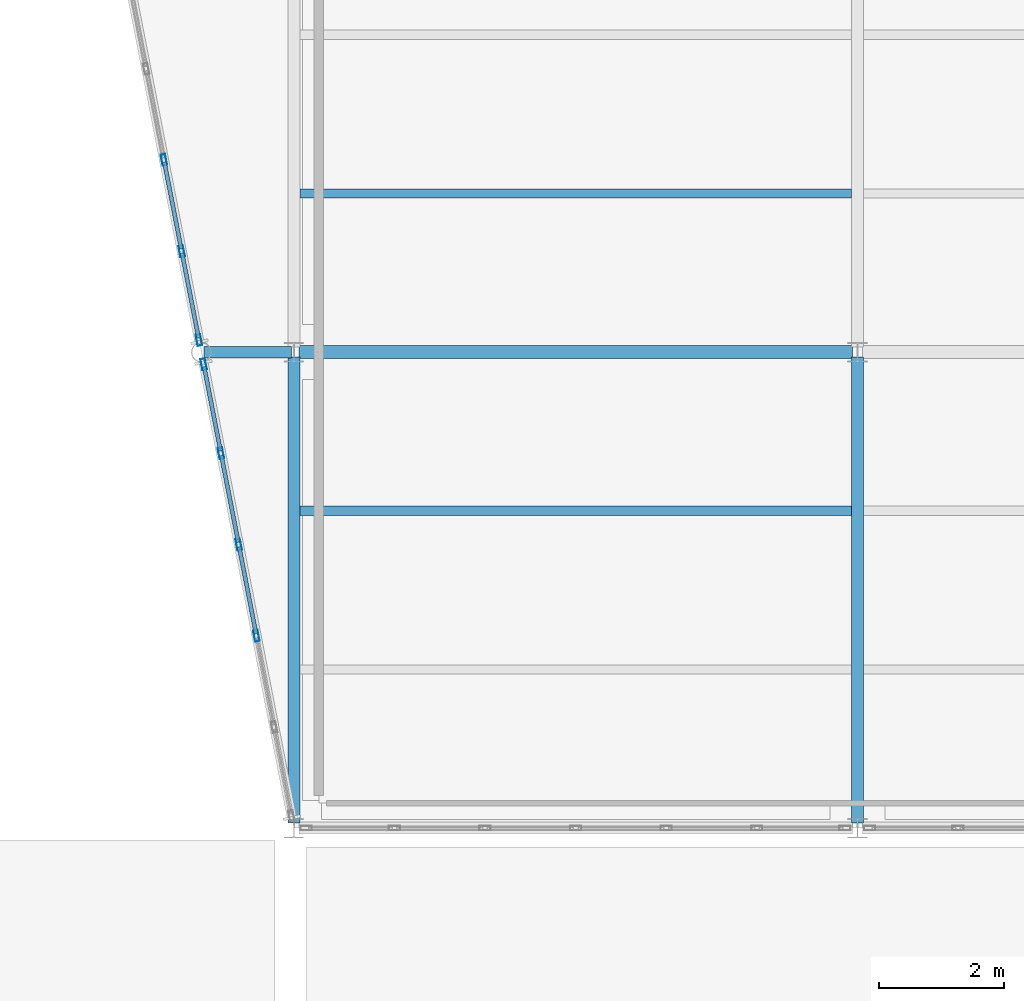
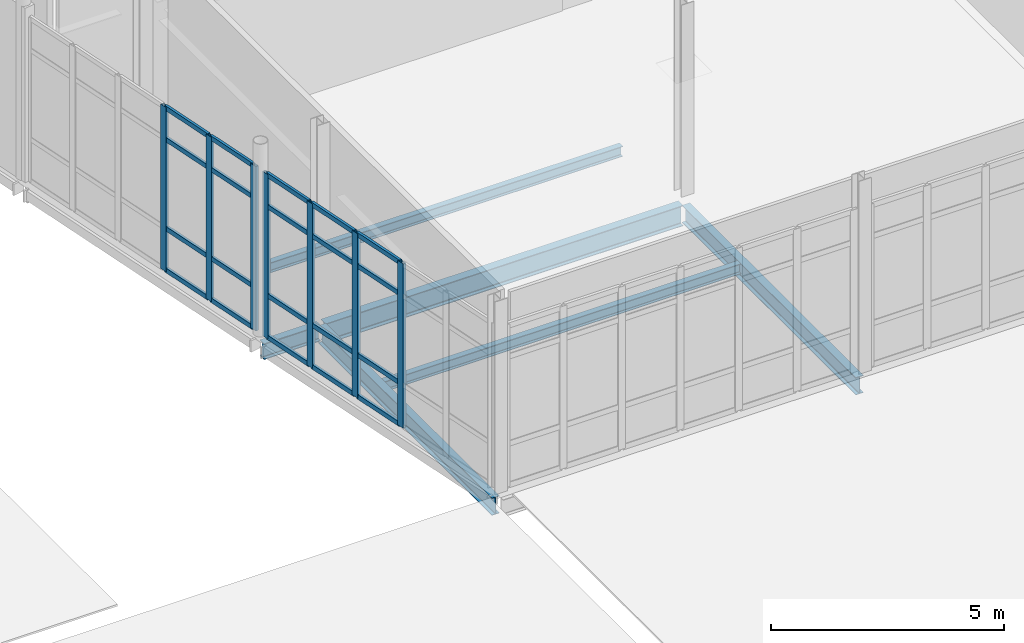
# One storey, part 83 of 161: 27 members, 6 beams, 2 elements without a shape of their own.
"""IFC4 building model written with IfcOpenShell, lengths in metres."""

from ifc_helpers import new_model, si_unit, direction, frame, origin, origin_2d, place, context, subcontext, project, spatial, hollow_rectangle, i_section, extrude, material, material_profile, profile_set, type_object, element, aggregate, save


model = new_model("IFC4")

# Units and contexts
model_context = context("Model", 3, precision=1e-05, world=origin(), true_north=direction((0.0, 1.0)))
body_context = subcontext(model_context, "Body", "Model", "MODEL_VIEW")
ifc_project = project(units=[si_unit("LENGTHUNIT", "METRE"), si_unit("AREAUNIT", "SQUARE_METRE"), si_unit("VOLUMEUNIT", "CUBIC_METRE"), si_unit("PLANEANGLEUNIT", "RADIAN"), si_unit("MASSUNIT", "GRAM", prefix="KILO")], contexts=[model_context])

# Site, building, storey
site_placement = place(None, origin())
site = spatial("IfcSite", under=ifc_project, at=site_placement, CompositionType="ELEMENT")
building_placement = place(site_placement, origin())
building = spatial("IfcBuilding", under=site, at=building_placement, Name="Caisbarro Railhouse Central Library", CompositionType="ELEMENT")
storey_placement = place(building_placement, origin())
storey = spatial("IfcBuildingStorey", under=building, at=storey_placement, Name="L00", CompositionType="ELEMENT", Elevation=0.0)

# Beams
ifc_material_1 = material(Name="Steel ASTM A572 Grade 50", Category="steel")
ifc_material_profile_1 = material_profile(ifc_material_1, i_section(OverallWidth=0.208984375, OverallDepth=0.532958984375, WebThickness=0.01025390625, FlangeThickness=0.015625, FilletRadius=0.02001953125, at=origin_2d()), Name="W530X92.0")
ifc_profile_set_1 = profile_set([ifc_material_profile_1], Name="Steel ASTM A572 Grade 50")
beam_type_1 = type_object("IfcBeamType", Name="BM-G06", PredefinedType="BEAM", material=ifc_profile_set_1)
beam_1_placement = place(storey_placement, frame((117.080078125, 68.39990234375, -0.5166015625), z_axis=(1.0, 0.0, 0.0), x_axis=(0.0, 1.0, 0.0)))
element("IfcBeam", 1, at=beam_1_placement, inside=storey, type_object=beam_type_1, Name="G06 beam L00 #494", PredefinedType="BEAM", context=body_context, shape_type="SweptSolid", body=[
    extrude(i_section(OverallWidth=0.208984375, OverallDepth=0.532958984375, WebThickness=0.01025390625, FlangeThickness=0.015625, FilletRadius=0.02001953125, at=origin_2d()), origin(), (0.0, 0.0, 1.0), 8.83984375),
])
ifc_material_profile_2 = material_profile(ifc_material_1, i_section(OverallWidth=0.18994140625, OverallDepth=0.45703125, WebThickness=0.009033203125, FlangeThickness=0.014404296875, FilletRadius=0.01806640625, at=origin_2d()), Name="W460X74.0")
ifc_profile_set_2 = profile_set([ifc_material_profile_2], Name="Steel ASTM A572 Grade 50")
beam_type_2 = type_object("IfcBeamType", Name="BM-G08", PredefinedType="BEAM", material=ifc_profile_set_2)
for number, where, z_axis, x_axis, name in (
    (2, (117.0, 60.8798828125, -0.478515625), (0.0, 1.0, 0.0), (-1.0, 0.0, 0.0), "G08 beam L00 #522"),
    (3, (126.0, 60.8798828125, -0.478515625), (0.0, 1.0, 0.0), (-1.0, 0.0, 0.0), "G08 beam L00 #529"),
):
    element("IfcBeam", number, at=place(storey_placement, frame(where, z_axis=z_axis, x_axis=x_axis)), inside=storey, type_object=beam_type_2, Name=name, PredefinedType="BEAM", context=body_context, shape_type="SweptSolid", body=[
        extrude(i_section(OverallWidth=0.18994140625, OverallDepth=0.45703125, WebThickness=0.009033203125, FlangeThickness=0.014404296875, FilletRadius=0.01806640625, at=origin_2d()), origin(), (0.0, 0.0, 1.0), 7.440185546875),
    ])
ifc_material_profile_3 = material_profile(ifc_material_1, i_section(OverallWidth=0.180908203125, OverallDepth=0.4169921875, WebThickness=0.010986328125, FlangeThickness=0.018310546875, FilletRadius=0.01611328125, at=origin_2d()), Name="W410X85.0")
ifc_profile_set_3 = profile_set([ifc_material_profile_3], Name="Steel ASTM A572 Grade 50")
beam_type_3 = type_object("IfcBeamType", Name="BM-G09", PredefinedType="BEAM", material=ifc_profile_set_3)
beam_2_placement = place(storey_placement, frame((115.56298828125, 68.39990234375, -0.45849609375), z_axis=(1.0, 0.0, 0.0), x_axis=(0.0, 1.0, 0.0)))
element("IfcBeam", 4, at=beam_2_placement, inside=storey, type_object=beam_type_3, Name="G09 beam L00 #687", PredefinedType="BEAM", context=body_context, shape_type="SweptSolid", body=[
    extrude(i_section(OverallWidth=0.180908203125, OverallDepth=0.4169921875, WebThickness=0.010986328125, FlangeThickness=0.018310546875, FilletRadius=0.01611328125, at=origin_2d()), origin(), (0.0, 0.0, 1.0), 1.39697265625),
])
ifc_material_profile_4 = material_profile(ifc_material_1, i_section(OverallWidth=0.14794921875, OverallDepth=0.26611328125, WebThickness=0.007568359375, FlangeThickness=0.012939453125, FilletRadius=0.010009765625, at=origin_2d()), Name="W250X44.8")
ifc_profile_set_4 = profile_set([ifc_material_profile_4], Name="Steel ASTM A572 Grade 50")
beam_type_4 = type_object("IfcBeamType", Name="BM-J04", PredefinedType="JOIST", material=ifc_profile_set_4)
for number, where, z_axis, x_axis, name in (
    (5, (117.094970703125, 65.86669921875, -0.383056640625), (1.0, 0.0, 0.0), (0.0, 1.0, 0.0), "J04 beam L00 #558"),
    (6, (117.094970703125, 70.933349609375, -0.383056640625), (1.0, 0.0, 0.0), (0.0, 1.0, 0.0), "J04 beam L00 #559"),
):
    element("IfcBeam", number, at=place(storey_placement, frame(where, z_axis=z_axis, x_axis=x_axis)), inside=storey, type_object=beam_type_4, Name=name, PredefinedType="JOIST", context=body_context, shape_type="SweptSolid", body=[
        extrude(i_section(OverallWidth=0.14794921875, OverallDepth=0.26611328125, WebThickness=0.007568359375, FlangeThickness=0.012939453125, FilletRadius=0.010009765625, at=origin_2d()), origin(), (0.0, 0.0, 1.0), 8.81005859375),
    ])

# Curtain wall, members
ifc_material_2 = material(Name="Anodised architectural aluminium", Category="aluminium")
curtain_wall_type = type_object("IfcCurtainWallType", Name="CW-CW01", PredefinedType="NOTDEFINED", material=ifc_material_2)
curtain_wall_1_placement = place(storey_placement, origin())
curtain_wall_1 = element("IfcCurtainWall", 7, at=curtain_wall_1_placement, inside=storey, type_object=curtain_wall_type, Name="CW01 curtain wall L00 #96", PredefinedType="NOTDEFINED")
ifc_material_profile_5 = material_profile(ifc_material_2, hollow_rectangle(XDim=0.074951171875, YDim=0.179931640625, WallThickness=0.00439453125, at=origin_2d()), Name="ALU-MUL-75X180")
ifc_profile_set_5 = profile_set([ifc_material_profile_5], Name="Anodised architectural aluminium")
member_type_1 = type_object("IfcMemberType", Name="CWM-M01", PredefinedType="MULLION", material=ifc_profile_set_5)
member_1_placement = place(storey_placement, frame((116.403076171875, 63.871337890625, 0.0), z_axis=(0.0, 0.0, 1.0), x_axis=(-0.981632635401, -0.190780945369, 0.0)))
member_1 = element("IfcMember", 8, at=member_1_placement, type_object=member_type_1, Name="CW01 mullion 3", PredefinedType="MULLION", context=body_context, shape_type="SweptSolid", body=[
    extrude(hollow_rectangle(XDim=0.074951171875, YDim=0.179931640625, WallThickness=0.00439453125, at=origin_2d()), origin(), (0.0, 0.0, 1.0), 4.300048828125),
])
member_2_placement = place(storey_placement, frame((116.119873046875, 65.32861328125, 0.0), z_axis=(0.0, 0.0, 1.0), x_axis=(-0.981632635401, -0.190780945369, 0.0)))
member_2 = element("IfcMember", 9, at=member_2_placement, type_object=member_type_1, Name="CW01 mullion 4", PredefinedType="MULLION", context=body_context, shape_type="SweptSolid", body=[
    extrude(hollow_rectangle(XDim=0.074951171875, YDim=0.179931640625, WallThickness=0.00439453125, at=origin_2d()), origin(), (0.0, 0.0, 1.0), 4.300048828125),
])
member_3_placement = place(storey_placement, frame((115.836669921875, 66.78564453125, 0.0), z_axis=(0.0, 0.0, 1.0), x_axis=(-0.981632635401, -0.190780945369, 0.0)))
member_3 = element("IfcMember", 10, at=member_3_placement, type_object=member_type_1, Name="CW01 mullion 5", PredefinedType="MULLION", context=body_context, shape_type="SweptSolid", body=[
    extrude(hollow_rectangle(XDim=0.074951171875, YDim=0.179931640625, WallThickness=0.00439453125, at=origin_2d()), origin(), (0.0, 0.0, 1.0), 4.300048828125),
])
member_4_placement = place(storey_placement, frame((115.560546875, 68.2060546875, 0.0), z_axis=(0.0, 0.0, 1.0), x_axis=(-0.981632635401, -0.190780945369, 0.0)))
member_4 = element("IfcMember", 11, at=member_4_placement, type_object=member_type_1, Name="CW01 mullion 6", PredefinedType="MULLION", context=body_context, shape_type="SweptSolid", body=[
    extrude(hollow_rectangle(XDim=0.074951171875, YDim=0.179931640625, WallThickness=0.00439453125, at=origin_2d()), origin(), (0.0, 0.0, 1.0), 4.300048828125),
])

curtain_wall_2_placement = place(storey_placement, origin())
curtain_wall_2 = element("IfcCurtainWall", 12, at=curtain_wall_2_placement, inside=storey, type_object=curtain_wall_type, Name="CW01 curtain wall L00 #97", PredefinedType="NOTDEFINED")
member_5_placement = place(storey_placement, frame((115.4853515625, 68.593994140625, 0.0), z_axis=(0.0, 0.0, 1.0), x_axis=(-0.98160739523, -0.190910768765, 0.0)))
member_5 = element("IfcMember", 13, at=member_5_placement, type_object=member_type_1, Name="CW01 mullion 1", PredefinedType="MULLION", context=body_context, shape_type="SweptSolid", body=[
    extrude(hollow_rectangle(XDim=0.074951171875, YDim=0.179931640625, WallThickness=0.00439453125, at=origin_2d()), origin(), (0.0, 0.0, 1.0), 4.300048828125),
])
member_6_placement = place(storey_placement, frame((115.208984375, 70.01416015625, 0.0), z_axis=(0.0, 0.0, 1.0), x_axis=(-0.98160739523, -0.190910768765, 0.0)))
member_6 = element("IfcMember", 14, at=member_6_placement, type_object=member_type_1, Name="CW01 mullion 2", PredefinedType="MULLION", context=body_context, shape_type="SweptSolid", body=[
    extrude(hollow_rectangle(XDim=0.074951171875, YDim=0.179931640625, WallThickness=0.00439453125, at=origin_2d()), origin(), (0.0, 0.0, 1.0), 4.300048828125),
])
member_7_placement = place(storey_placement, frame((114.92578125, 71.471435546875, 0.0), z_axis=(0.0, 0.0, 1.0), x_axis=(-0.98160739523, -0.190910768765, 0.0)))
member_7 = element("IfcMember", 15, at=member_7_placement, type_object=member_type_1, Name="CW01 mullion 3", PredefinedType="MULLION", context=body_context, shape_type="SweptSolid", body=[
    extrude(hollow_rectangle(XDim=0.074951171875, YDim=0.179931640625, WallThickness=0.00439453125, at=origin_2d()), origin(), (0.0, 0.0, 1.0), 4.300048828125),
])

# Member
ifc_material_profile_6 = material_profile(ifc_material_2, hollow_rectangle(XDim=0.06494140625, YDim=0.1201171875, WallThickness=0.00341796875, at=origin_2d()), Name="ALU-TRN-65X120")
ifc_profile_set_6 = profile_set([ifc_material_profile_6], Name="Anodised architectural aluminium")
member_type_2 = type_object("IfcMemberType", Name="CWT-T02", PredefinedType="USERDEFINED", material=ifc_profile_set_6)
member_8_placement = place(storey_placement, frame((116.39599609375, 63.908203125, 0.032470703125), z_axis=(-0.190883567843, 0.981612685089, 0.0), x_axis=(-0.981612685089, -0.190883567843, 0.0)))
member_8 = element("IfcMember", 16, at=member_8_placement, type_object=member_type_2, Name="CW01 transom 3.1", ObjectType="TRANSOM", PredefinedType="USERDEFINED", context=body_context, shape_type="SweptSolid", body=[
    extrude(hollow_rectangle(XDim=0.06494140625, YDim=0.1201171875, WallThickness=0.00341796875, at=origin_2d()), origin(), (0.0, 0.0, 1.0), 1.409423828125),
])

member_9_placement = place(storey_placement, frame((116.39599609375, 63.908203125, 1.1201171875), z_axis=(-0.190883567843, 0.981612685089, 0.0), x_axis=(-0.981612685089, -0.190883567843, 0.0)))
member_9 = element("IfcMember", 17, at=member_9_placement, type_object=member_type_2, Name="CW01 transom 3.2", ObjectType="TRANSOM", PredefinedType="USERDEFINED", context=body_context, shape_type="SweptSolid", body=[
    extrude(hollow_rectangle(XDim=0.06494140625, YDim=0.1201171875, WallThickness=0.00341796875, at=origin_2d()), origin(), (0.0, 0.0, 1.0), 1.409423828125),
])

member_10_placement = place(storey_placement, frame((116.39599609375, 63.908203125, 3.449951171875), z_axis=(-0.190883567843, 0.981612685089, 0.0), x_axis=(-0.981612685089, -0.190883567843, 0.0)))
member_10 = element("IfcMember", 18, at=member_10_placement, type_object=member_type_2, Name="CW01 transom 3.3", ObjectType="TRANSOM", PredefinedType="USERDEFINED", context=body_context, shape_type="SweptSolid", body=[
    extrude(hollow_rectangle(XDim=0.06494140625, YDim=0.1201171875, WallThickness=0.00341796875, at=origin_2d()), origin(), (0.0, 0.0, 1.0), 1.409423828125),
])

member_11_placement = place(storey_placement, frame((116.39599609375, 63.908203125, 4.267578125), z_axis=(-0.190883567843, 0.981612685089, 0.0), x_axis=(-0.981612685089, -0.190883567843, 0.0)))
member_11 = element("IfcMember", 19, at=member_11_placement, type_object=member_type_2, Name="CW01 transom 3.4", ObjectType="TRANSOM", PredefinedType="USERDEFINED", context=body_context, shape_type="SweptSolid", body=[
    extrude(hollow_rectangle(XDim=0.06494140625, YDim=0.1201171875, WallThickness=0.00341796875, at=origin_2d()), origin(), (0.0, 0.0, 1.0), 1.409423828125),
])

member_12_placement = place(storey_placement, frame((116.11279296875, 65.365478515625, 0.032470703125), z_axis=(-0.190883567843, 0.981612685089, 0.0), x_axis=(-0.981612685089, -0.190883567843, 0.0)))
member_12 = element("IfcMember", 20, at=member_12_placement, type_object=member_type_2, Name="CW01 transom 4.1", ObjectType="TRANSOM", PredefinedType="USERDEFINED", context=body_context, shape_type="SweptSolid", body=[
    extrude(hollow_rectangle(XDim=0.06494140625, YDim=0.1201171875, WallThickness=0.00341796875, at=origin_2d()), origin(), (0.0, 0.0, 1.0), 1.409423828125),
])

member_13_placement = place(storey_placement, frame((116.11279296875, 65.365478515625, 1.1201171875), z_axis=(-0.190883567843, 0.981612685089, 0.0), x_axis=(-0.981612685089, -0.190883567843, 0.0)))
member_13 = element("IfcMember", 21, at=member_13_placement, type_object=member_type_2, Name="CW01 transom 4.2", ObjectType="TRANSOM", PredefinedType="USERDEFINED", context=body_context, shape_type="SweptSolid", body=[
    extrude(hollow_rectangle(XDim=0.06494140625, YDim=0.1201171875, WallThickness=0.00341796875, at=origin_2d()), origin(), (0.0, 0.0, 1.0), 1.409423828125),
])

member_14_placement = place(storey_placement, frame((116.11279296875, 65.365478515625, 3.449951171875), z_axis=(-0.190883567843, 0.981612685089, 0.0), x_axis=(-0.981612685089, -0.190883567843, 0.0)))
member_14 = element("IfcMember", 22, at=member_14_placement, type_object=member_type_2, Name="CW01 transom 4.3", ObjectType="TRANSOM", PredefinedType="USERDEFINED", context=body_context, shape_type="SweptSolid", body=[
    extrude(hollow_rectangle(XDim=0.06494140625, YDim=0.1201171875, WallThickness=0.00341796875, at=origin_2d()), origin(), (0.0, 0.0, 1.0), 1.409423828125),
])

member_15_placement = place(storey_placement, frame((116.11279296875, 65.365478515625, 4.267578125), z_axis=(-0.190883567843, 0.981612685089, 0.0), x_axis=(-0.981612685089, -0.190883567843, 0.0)))
member_15 = element("IfcMember", 23, at=member_15_placement, type_object=member_type_2, Name="CW01 transom 4.4", ObjectType="TRANSOM", PredefinedType="USERDEFINED", context=body_context, shape_type="SweptSolid", body=[
    extrude(hollow_rectangle(XDim=0.06494140625, YDim=0.1201171875, WallThickness=0.00341796875, at=origin_2d()), origin(), (0.0, 0.0, 1.0), 1.409423828125),
])

member_16_placement = place(storey_placement, frame((115.82958984375, 66.822509765625, 0.032470703125), z_axis=(-0.190774392735, 0.981633908887, 0.0), x_axis=(-0.981633908887, -0.190774392735, 0.0)))
member_16 = element("IfcMember", 24, at=member_16_placement, type_object=member_type_2, Name="CW01 transom 5.1", ObjectType="TRANSOM", PredefinedType="USERDEFINED", context=body_context, shape_type="SweptSolid", body=[
    extrude(hollow_rectangle(XDim=0.06494140625, YDim=0.1201171875, WallThickness=0.00341796875, at=origin_2d()), origin(), (0.0, 0.0, 1.0), 1.371826171875),
])

member_17_placement = place(storey_placement, frame((115.82958984375, 66.822509765625, 1.1201171875), z_axis=(-0.190774392735, 0.981633908887, 0.0), x_axis=(-0.981633908887, -0.190774392735, 0.0)))
member_17 = element("IfcMember", 25, at=member_17_placement, type_object=member_type_2, Name="CW01 transom 5.2", ObjectType="TRANSOM", PredefinedType="USERDEFINED", context=body_context, shape_type="SweptSolid", body=[
    extrude(hollow_rectangle(XDim=0.06494140625, YDim=0.1201171875, WallThickness=0.00341796875, at=origin_2d()), origin(), (0.0, 0.0, 1.0), 1.371826171875),
])

member_18_placement = place(storey_placement, frame((115.82958984375, 66.822509765625, 3.449951171875), z_axis=(-0.190774392735, 0.981633908887, 0.0), x_axis=(-0.981633908887, -0.190774392735, 0.0)))
member_18 = element("IfcMember", 26, at=member_18_placement, type_object=member_type_2, Name="CW01 transom 5.3", ObjectType="TRANSOM", PredefinedType="USERDEFINED", context=body_context, shape_type="SweptSolid", body=[
    extrude(hollow_rectangle(XDim=0.06494140625, YDim=0.1201171875, WallThickness=0.00341796875, at=origin_2d()), origin(), (0.0, 0.0, 1.0), 1.371826171875),
])

member_19_placement = place(storey_placement, frame((115.82958984375, 66.822509765625, 4.267578125), z_axis=(-0.190774392735, 0.981633908887, 0.0), x_axis=(-0.981633908887, -0.190774392735, 0.0)))
member_19 = element("IfcMember", 27, at=member_19_placement, type_object=member_type_2, Name="CW01 transom 5.4", ObjectType="TRANSOM", PredefinedType="USERDEFINED", context=body_context, shape_type="SweptSolid", body=[
    extrude(hollow_rectangle(XDim=0.06494140625, YDim=0.1201171875, WallThickness=0.00341796875, at=origin_2d()), origin(), (0.0, 0.0, 1.0), 1.371826171875),
])

aggregate(curtain_wall_1, [member_1, member_2, member_3, member_4, member_8, member_9, member_10, member_11, member_12, member_13, member_14, member_15, member_16, member_17, member_18, member_19])

member_20_placement = place(storey_placement, frame((115.478271484375, 68.630615234375, 0.032470703125), z_axis=(-0.190912519438, 0.981607054743, 0.0), x_axis=(-0.981607054743, -0.190912519438, 0.0)))
member_20 = element("IfcMember", 28, at=member_20_placement, type_object=member_type_2, Name="CW01 transom 1.1", ObjectType="TRANSOM", PredefinedType="USERDEFINED", context=body_context, shape_type="SweptSolid", body=[
    extrude(hollow_rectangle(XDim=0.06494140625, YDim=0.1201171875, WallThickness=0.00341796875, at=origin_2d()), origin(), (0.0, 0.0, 1.0), 1.3720703125),
])

member_21_placement = place(storey_placement, frame((115.478271484375, 68.630615234375, 1.1201171875), z_axis=(-0.190912519438, 0.981607054743, 0.0), x_axis=(-0.981607054743, -0.190912519438, 0.0)))
member_21 = element("IfcMember", 29, at=member_21_placement, type_object=member_type_2, Name="CW01 transom 1.2", ObjectType="TRANSOM", PredefinedType="USERDEFINED", context=body_context, shape_type="SweptSolid", body=[
    extrude(hollow_rectangle(XDim=0.06494140625, YDim=0.1201171875, WallThickness=0.00341796875, at=origin_2d()), origin(), (0.0, 0.0, 1.0), 1.3720703125),
])

member_22_placement = place(storey_placement, frame((115.478271484375, 68.630615234375, 3.449951171875), z_axis=(-0.190912519438, 0.981607054743, 0.0), x_axis=(-0.981607054743, -0.190912519438, 0.0)))
member_22 = element("IfcMember", 30, at=member_22_placement, type_object=member_type_2, Name="CW01 transom 1.3", ObjectType="TRANSOM", PredefinedType="USERDEFINED", context=body_context, shape_type="SweptSolid", body=[
    extrude(hollow_rectangle(XDim=0.06494140625, YDim=0.1201171875, WallThickness=0.00341796875, at=origin_2d()), origin(), (0.0, 0.0, 1.0), 1.3720703125),
])

member_23_placement = place(storey_placement, frame((115.478271484375, 68.630615234375, 4.267578125), z_axis=(-0.190912519438, 0.981607054743, 0.0), x_axis=(-0.981607054743, -0.190912519438, 0.0)))
member_23 = element("IfcMember", 31, at=member_23_placement, type_object=member_type_2, Name="CW01 transom 1.4", ObjectType="TRANSOM", PredefinedType="USERDEFINED", context=body_context, shape_type="SweptSolid", body=[
    extrude(hollow_rectangle(XDim=0.06494140625, YDim=0.1201171875, WallThickness=0.00341796875, at=origin_2d()), origin(), (0.0, 0.0, 1.0), 1.3720703125),
])

member_24_placement = place(storey_placement, frame((115.201904296875, 70.051025390625, 0.032470703125), z_axis=(-0.190883567843, 0.981612685089, 0.0), x_axis=(-0.981612685089, -0.190883567843, 0.0)))
member_24 = element("IfcMember", 32, at=member_24_placement, type_object=member_type_2, Name="CW01 transom 2.1", ObjectType="TRANSOM", PredefinedType="USERDEFINED", context=body_context, shape_type="SweptSolid", body=[
    extrude(hollow_rectangle(XDim=0.06494140625, YDim=0.1201171875, WallThickness=0.00341796875, at=origin_2d()), origin(), (0.0, 0.0, 1.0), 1.409423828125),
])

member_25_placement = place(storey_placement, frame((115.201904296875, 70.051025390625, 1.1201171875), z_axis=(-0.190883567843, 0.981612685089, 0.0), x_axis=(-0.981612685089, -0.190883567843, 0.0)))
member_25 = element("IfcMember", 33, at=member_25_placement, type_object=member_type_2, Name="CW01 transom 2.2", ObjectType="TRANSOM", PredefinedType="USERDEFINED", context=body_context, shape_type="SweptSolid", body=[
    extrude(hollow_rectangle(XDim=0.06494140625, YDim=0.1201171875, WallThickness=0.00341796875, at=origin_2d()), origin(), (0.0, 0.0, 1.0), 1.409423828125),
])

member_26_placement = place(storey_placement, frame((115.201904296875, 70.051025390625, 3.449951171875), z_axis=(-0.190883567843, 0.981612685089, 0.0), x_axis=(-0.981612685089, -0.190883567843, 0.0)))
member_26 = element("IfcMember", 34, at=member_26_placement, type_object=member_type_2, Name="CW01 transom 2.3", ObjectType="TRANSOM", PredefinedType="USERDEFINED", context=body_context, shape_type="SweptSolid", body=[
    extrude(hollow_rectangle(XDim=0.06494140625, YDim=0.1201171875, WallThickness=0.00341796875, at=origin_2d()), origin(), (0.0, 0.0, 1.0), 1.409423828125),
])

member_27_placement = place(storey_placement, frame((115.201904296875, 70.051025390625, 4.267578125), z_axis=(-0.190883567843, 0.981612685089, 0.0), x_axis=(-0.981612685089, -0.190883567843, 0.0)))
member_27 = element("IfcMember", 35, at=member_27_placement, type_object=member_type_2, Name="CW01 transom 2.4", ObjectType="TRANSOM", PredefinedType="USERDEFINED", context=body_context, shape_type="SweptSolid", body=[
    extrude(hollow_rectangle(XDim=0.06494140625, YDim=0.1201171875, WallThickness=0.00341796875, at=origin_2d()), origin(), (0.0, 0.0, 1.0), 1.409423828125),
])

aggregate(curtain_wall_2, [member_5, member_6, member_7, member_20, member_21, member_22, member_23, member_24, member_25, member_26, member_27])

save(model, "model.ifc")
